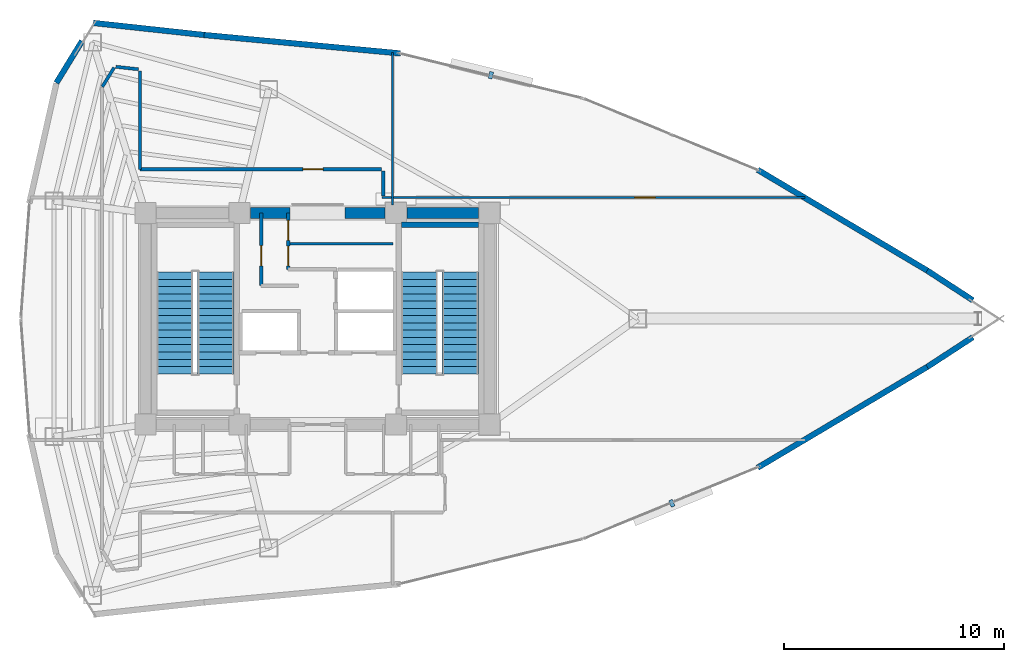
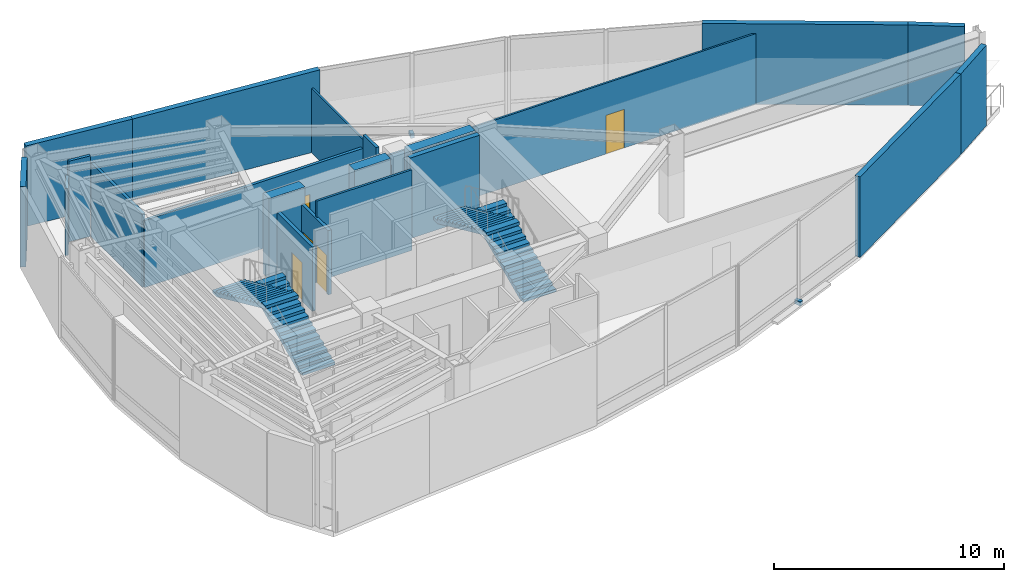
# One storey, part 15 of 17: 21 walls, 5 doors, 4 stair flights, 2 discrete accessories, 5 openings, 2 elements without a shape of their own.
"""IFC4 building model written with IfcOpenShell, lengths in metres."""

from ifc_helpers import new_model, si_unit, direction, frame, frame_2d, origin, origin_2d, place, context, subcontext, project, spatial, polyline, rectangle, outline, extrude, material, layer, layer_set, type_object, element, fill, aggregate, save


model = new_model("IFC4")

# Units and contexts
model_context = context("Model", 3, precision=1e-05, world=origin(), true_north=direction((0.0, 1.0)))
body_context = subcontext(model_context, "Body", "Model", "MODEL_VIEW")
ifc_project = project(units=[si_unit("LENGTHUNIT", "METRE"), si_unit("AREAUNIT", "SQUARE_METRE"), si_unit("VOLUMEUNIT", "CUBIC_METRE"), si_unit("PLANEANGLEUNIT", "RADIAN"), si_unit("MASSUNIT", "GRAM", prefix="KILO")], contexts=[model_context])

# Site, building, storey
site_placement = place(None, origin())
site = spatial("IfcSite", under=ifc_project, at=site_placement, CompositionType="ELEMENT")
building_placement = place(site_placement, origin())
building = spatial("IfcBuilding", under=site, at=building_placement, Name="Menara Vayukalpa", CompositionType="ELEMENT")
storey_placement = place(building_placement, frame((0.0, 0.0, 242.639892578125)))
storey = spatial("IfcBuildingStorey", under=building, at=storey_placement, Name="L61", CompositionType="ELEMENT", Elevation=242.639892578125)

# Walls
ifc_material_1 = material(Name="Concrete C60/75", Category="concrete")
ifc_layer_1 = layer(ifc_material_1, 0.5)
ifc_layer_set_1 = layer_set([ifc_layer_1], Name="Concrete C60/75")
wall_type_1 = type_object("IfcWallType", Name="WAL-CW500", PredefinedType="SHEAR", material=ifc_layer_set_1)
wall_1_placement = place(storey_placement, frame((22.544921875, 26.800048828125, 0.0), z_axis=(0.0, 0.0, 1.0), x_axis=(1.0, 0.0, 0.0)))
element("IfcWall", 1, at=wall_1_placement, inside=storey, type_object=wall_type_1, Name="L61 Buttressed Core Shear Wall CWN2", PredefinedType="SHEAR", context=body_context, shape_type="SweptSolid", body=[
    extrude(rectangle(XDim=1.80517578125, YDim=0.5, at=frame_2d((0.902587890625, 0.0))), origin(), (0.0, 0.0, 1.0), 4.280029296875),
])
wall_2_placement = place(storey_placement, frame((26.85009765625, 26.800048828125, 0.0), z_axis=(0.0, 0.0, 1.0), x_axis=(1.0, 0.0, 0.0)))
element("IfcWall", 2, at=wall_2_placement, inside=storey, type_object=wall_type_1, Name="L61 Buttressed Core Shear Wall CWN3", PredefinedType="SHEAR", context=body_context, shape_type="SweptSolid", body=[
    extrude(rectangle(XDim=1.804931640625, YDim=0.5, at=frame_2d((0.90234375, 0.0))), origin(), (0.0, 0.0, 1.0), 4.280029296875),
])
wall_3_placement = place(storey_placement, frame((29.64501953125, 26.800048828125, 0.0), z_axis=(0.0, 0.0, 1.0), x_axis=(1.0, 0.0, 0.0)))
element("IfcWall", 3, at=wall_3_placement, inside=storey, type_object=wall_type_1, Name="L61 Buttressed Core Shear Wall CWN4", PredefinedType="SHEAR", context=body_context, shape_type="SweptSolid", body=[
    extrude(rectangle(XDim=3.260009765625, YDim=0.5, at=frame_2d((1.6298828125, 0.0))), origin(), (0.0, 0.0, 1.0), 4.280029296875),
])
ifc_material_2 = material(Name="Insulated Precast Concrete C40/50", Category="concrete")
ifc_layer_2 = layer(ifc_material_2, 0.260009765625)
ifc_layer_set_2 = layer_set([ifc_layer_2], Name="Insulated Precast Concrete C40/50")
wall_type_2 = type_object("IfcWallType", Name="WAL-EXT260", PredefinedType="PARTITIONING", material=ifc_layer_set_2)
for number, where, z_axis, x_axis, name in (
    (4, (55.329833984375, 21.16259765625, 0.0), (0.0, 0.0, 1.0), (-0.837793250207, -0.545987609665, 0.0), "L61 Perimeter Terracotta Pier Wall 01"),
    (5, (53.258544921875, 24.187255859375, 0.0), (0.0, 0.0, 1.0), (0.837793250207, -0.545987609665, 0.0), "L61 Perimeter Terracotta Pier Wall 02"),
):
    element("IfcWall", number, at=place(storey_placement, frame(where, z_axis=z_axis, x_axis=x_axis)), inside=storey, type_object=wall_type_2, Name=name, PredefinedType="PARTITIONING", context=body_context, shape_type="SweptSolid", body=[
        extrude(rectangle(XDim=2.472412109375, YDim=0.260009765625, at=frame_2d((1.236328125, 0.0))), origin(), (0.0, 0.0, 1.0), 4.280029296875),
    ])
wall_4_placement = place(storey_placement, frame((45.565673828125, 28.759521484375, 0.0), z_axis=(0.0, 0.0, 1.0), x_axis=(0.859615449495, -0.510941561227, 0.0)))
element("IfcWall", 6, at=wall_4_placement, inside=storey, type_object=wall_type_2, Name="L61 Perimeter Terracotta Pier Wall 03", PredefinedType="PARTITIONING", context=body_context, shape_type="SweptSolid", body=[
    extrude(rectangle(XDim=8.961181640625, YDim=0.260009765625, at=frame_2d((4.48046875, 0.0))), origin(), (0.0, 0.0, 1.0), 4.280029296875),
])
wall_5_placement = place(storey_placement, frame((20.4384765625, 34.877685546875, 0.0), z_axis=(0.0, 0.0, 1.0), x_axis=(0.995616246459, -0.093532292754, 0.0)))
element("IfcWall", 7, at=wall_5_placement, inside=storey, type_object=wall_type_2, Name="L61 Perimeter Terracotta Pier Wall 06", PredefinedType="PARTITIONING", context=body_context, shape_type="SweptSolid", body=[
    extrude(rectangle(XDim=8.9609375, YDim=0.260009765625, at=frame_2d((4.48046875, 0.0))), origin(), (0.0, 0.0, 1.0), 4.280029296875),
])
wall_6_placement = place(storey_placement, frame((15.41748046875, 35.423095703125, 0.0), z_axis=(0.0, 0.0, 1.0), x_axis=(0.994158757437, -0.107927591518, 0.0)))
element("IfcWall", 8, at=wall_6_placement, inside=storey, type_object=wall_type_2, Name="L61 Perimeter Terracotta Pier Wall 07", PredefinedType="PARTITIONING", context=body_context, shape_type="SweptSolid", body=[
    extrude(rectangle(XDim=5.0625, YDim=0.260009765625, at=frame_2d((2.53125, 0.0))), origin(), (0.0, 0.0, 1.0), 4.280029296875),
])
wall_7_placement = place(storey_placement, frame((13.747314453125, 32.7021484375, 0.0), z_axis=(0.0, 0.0, 1.0), x_axis=(0.52314291314, 0.852244972077, 0.0)))
element("IfcWall", 9, at=wall_7_placement, inside=storey, type_object=wall_type_2, Name="L61 Perimeter Terracotta Pier Wall 08", PredefinedType="PARTITIONING", context=body_context, shape_type="SweptSolid", body=[
    extrude(rectangle(XDim=2.22705078125, YDim=0.260009765625, at=frame_2d((1.113525390625, 0.0))), origin(), (0.0, 0.0, 1.0), 4.280029296875),
])
wall_8_placement = place(storey_placement, frame((53.268798828125, 19.819091796875, 0.0), z_axis=(0.0, 0.0, 1.0), x_axis=(-0.859615449495, -0.510941561227, 0.0)))
element("IfcWall", 10, at=wall_8_placement, inside=storey, type_object=wall_type_2, Name="L61 Perimeter Terracotta Pier Wall 18", PredefinedType="PARTITIONING", context=body_context, shape_type="SweptSolid", body=[
    extrude(rectangle(XDim=8.961181640625, YDim=0.260009765625, at=frame_2d((4.48046875, 0.0))), origin(), (0.0, 0.0, 1.0), 4.280029296875),
])

# Wall, opening, door
ifc_material_3 = material(Name="Lightweight Concrete Blockwork C16/20", Category="masonry")
ifc_layer_3 = layer(ifc_material_3, 0.159912109375)
ifc_layer_set_3 = layer_set([ifc_layer_3], Name="Lightweight Concrete Blockwork C16/20")
wall_type_3 = type_object("IfcWallType", Name="WAL-FR150", PredefinedType="PARTITIONING", material=ifc_layer_set_3)
wall_9_placement = place(storey_placement, frame((23.0400390625, 23.5, 0.0), z_axis=(0.0, 0.0, 1.0), x_axis=(0.0, 1.0, 0.0)))
wall_9 = element("IfcWall", 11, at=wall_9_placement, inside=storey, type_object=wall_type_3, Name="L61 Interior Partition IW-L61-LV7WB", PredefinedType="PARTITIONING", context=body_context, shape_type="SweptSolid", body=[
    extrude(rectangle(XDim=3.300048828125, YDim=0.159912109375, at=frame_2d((1.64990234375, 0.0))), origin(), (0.0, 0.0, 1.0), 3.41015625),
])
opening_1_placement = place(wall_9_placement, frame((0.89990234375, 0.0, 0.0)))
opening_1 = element("IfcOpeningElement", 12, at=opening_1_placement, cuts=wall_9, Name="Opening ID6", PredefinedType="OPENING", context=body_context, shape_type="SweptSolid", body=[
    extrude(rectangle(XDim=0.919921875, YDim=2.050048828125, at=frame_2d((0.4599609375, 1.02490234375))), frame((0.0, 0.08984375, 0.0), z_axis=(0.0, -1.0, 0.0), x_axis=(1.0, 0.0, 0.0)), (0.0, 0.0, 1.0), 0.179931640625),
])
ifc_material_4 = material(Name="Acoustic Hardwood Veneer Timber Door", Category="wood")
door_type_1 = type_object("IfcDoorType", Name="DR-INT92", OperationType="NOTDEFINED", PredefinedType="DOOR", material=ifc_material_4)
door_1_placement = place(opening_1_placement, origin())
door_1 = element("IfcDoor", 13, at=door_1_placement, inside=storey, type_object=door_type_1, Name="L61 Interior Door DR-L61-LV7W", OperationType="SINGLE_SWING_LEFT", OverallHeight=2.050048828125, OverallWidth=0.919921875, PredefinedType="DOOR", context=body_context, shape_type="SweptSolid", body=[
    extrude(rectangle(XDim=0.919921875, YDim=2.050048828125, at=frame_2d((0.4599609375, 1.02490234375))), frame((0.0, 0.02490234375, 0.0), z_axis=(0.0, -1.0, 0.0), x_axis=(1.0, 0.0, 0.0)), (0.0, 0.0, 1.0), 0.050048828125),
])
fill(opening_1, door_1)

# Wall, openings, doors
wall_10_placement = place(storey_placement, frame((24.260009765625, 24.239990234375, 0.0), z_axis=(0.0, 0.0, 1.0), x_axis=(0.0, 1.0, 0.0)))
wall_10 = element("IfcWall", 14, at=wall_10_placement, inside=storey, type_object=wall_type_3, Name="L61 Interior Partition IW-L61-LV7EB", PredefinedType="PARTITIONING", context=body_context, shape_type="SweptSolid", body=[
    extrude(rectangle(XDim=2.56005859375, YDim=0.159912109375, at=frame_2d((1.280029296875, 0.0))), origin(), (0.0, 0.0, 1.0), 3.41015625),
])
opening_2_placement = place(wall_10_placement, frame((0.159912109375, 0.0, 0.0)))
opening_2 = element("IfcOpeningElement", 15, at=opening_2_placement, cuts=wall_10, Name="Opening ID7", PredefinedType="OPENING", context=body_context, shape_type="SweptSolid", body=[
    extrude(rectangle(XDim=0.89990234375, YDim=2.02001953125, at=frame_2d((0.449951171875, 1.010009765625))), frame((0.0, 0.08984375, 0.0), z_axis=(0.0, -1.0, 0.0), x_axis=(1.0, 0.0, 0.0)), (0.0, 0.0, 1.0), 0.179931640625),
])
opening_3_placement = place(wall_10_placement, frame((1.320068359375, 0.0, 0.0)))
opening_3 = element("IfcOpeningElement", 16, at=opening_3_placement, cuts=wall_10, Name="Opening ID7", PredefinedType="OPENING", context=body_context, shape_type="SweptSolid", body=[
    extrude(rectangle(XDim=0.89990234375, YDim=2.02001953125, at=frame_2d((0.449951171875, 1.010009765625))), frame((0.0, 0.08984375, 0.0), z_axis=(0.0, -1.0, 0.0), x_axis=(1.0, 0.0, 0.0)), (0.0, 0.0, 1.0), 0.179931640625),
])
ifc_material_5 = material(Name="Powder-Coated Steel Riser Access Door", Category="steel")
door_type_2 = type_object("IfcDoorType", Name="DR-RISER", OperationType="NOTDEFINED", PredefinedType="DOOR", material=ifc_material_5)
door_2_placement = place(opening_2_placement, origin())
door_2 = element("IfcDoor", 17, at=door_2_placement, inside=storey, type_object=door_type_2, Name="L61 Interior Door DR-L61-LV7E1", OperationType="SINGLE_SWING_RIGHT", OverallHeight=2.02001953125, OverallWidth=0.89990234375, PredefinedType="DOOR", context=body_context, shape_type="SweptSolid", body=[
    extrude(rectangle(XDim=0.89990234375, YDim=2.02001953125, at=frame_2d((0.449951171875, 1.010009765625))), frame((0.0, 0.02490234375, 0.0), z_axis=(0.0, -1.0, 0.0), x_axis=(1.0, 0.0, 0.0)), (0.0, 0.0, 1.0), 0.050048828125),
])
fill(opening_2, door_2)
door_3_placement = place(opening_3_placement, origin())
door_3 = element("IfcDoor", 18, at=door_3_placement, inside=storey, type_object=door_type_2, Name="L61 Interior Door DR-L61-LV7E2", OperationType="SINGLE_SWING_LEFT", OverallHeight=2.02001953125, OverallWidth=0.89990234375, PredefinedType="DOOR", context=body_context, shape_type="SweptSolid", body=[
    extrude(rectangle(XDim=0.89990234375, YDim=2.02001953125, at=frame_2d((0.449951171875, 1.010009765625))), frame((0.0, 0.02490234375, 0.0), z_axis=(0.0, -1.0, 0.0), x_axis=(1.0, 0.0, 0.0)), (0.0, 0.0, 1.0), 0.050048828125),
])
fill(opening_3, door_3)

# Wall
ifc_material_6 = material(Name="Glazed Demountable Office Partition", Category="glass")
ifc_layer_4 = layer(ifc_material_6, 0.094970703125)
ifc_layer_set_4 = layer_set([ifc_layer_4], Name="Glazed Demountable Office Partition")
wall_type_4 = type_object("IfcWallType", Name="WAL-PT100", PredefinedType="PARTITIONING", material=ifc_layer_set_4)
wall_11_placement = place(storey_placement, frame((29.0, 27.169921875, 0.0), z_axis=(0.0, 0.0, 1.0), x_axis=(0.0, 1.0, 0.0)))
element("IfcWall", 19, at=wall_11_placement, inside=storey, type_object=wall_type_4, Name="L61 Interior Partition IW-L61-RDIV02", PredefinedType="PARTITIONING", context=body_context, shape_type="SweptSolid", body=[
    extrude(rectangle(XDim=6.91357421875, YDim=0.094970703125, at=frame_2d((3.456787109375, 0.0))), origin(), (0.0, 0.0, 1.0), 3.41015625),
])

# Wall, opening, door
wall_12_placement = place(storey_placement, frame((28.530029296875, 27.5, 0.0), z_axis=(0.0, 0.0, 1.0), x_axis=(1.0, 0.0, 0.0)))
wall_12 = element("IfcWall", 20, at=wall_12_placement, inside=storey, type_object=wall_type_4, Name="L61 Interior Partition IW-L61-RDIV06", PredefinedType="PARTITIONING", context=body_context, shape_type="SweptSolid", body=[
    extrude(rectangle(XDim=19.174072265625, YDim=0.094970703125, at=frame_2d((9.5869140625, 0.0))), origin(), (0.0, 0.0, 1.0), 3.760009765625),
])
opening_4_placement = place(wall_12_placement, frame((11.46337890625, 0.0, 0.0)))
opening_4 = element("IfcOpeningElement", 21, at=opening_4_placement, cuts=wall_12, Name="Opening ID6", PredefinedType="OPENING", context=body_context, shape_type="SweptSolid", body=[
    extrude(rectangle(XDim=0.919921875, YDim=2.050048828125, at=frame_2d((0.4599609375, 1.02490234375))), frame((0.0, 0.057373046875, 0.0), z_axis=(0.0, -1.0, 0.0), x_axis=(1.0, 0.0, 0.0)), (0.0, 0.0, 1.0), 0.114990234375),
])
door_4_placement = place(opening_4_placement, origin())
door_4 = element("IfcDoor", 22, at=door_4_placement, inside=storey, type_object=door_type_1, Name="L61 Interior Door DR-L61-STE05", OperationType="SINGLE_SWING_LEFT", OverallHeight=2.050048828125, OverallWidth=0.919921875, PredefinedType="DOOR", context=body_context, shape_type="SweptSolid", body=[
    extrude(rectangle(XDim=0.919921875, YDim=2.050048828125, at=frame_2d((0.4599609375, 1.02490234375))), frame((0.0, 0.02490234375, 0.0), z_axis=(0.0, -1.0, 0.0), x_axis=(1.0, 0.0, 0.0)), (0.0, 0.0, 1.0), 0.050048828125),
])
fill(opening_4, door_4)

# Walls
ifc_material_7 = material(Name="Acoustic Mineral Stud Partition", Category="masonry")
ifc_layer_5 = layer(ifc_material_7, 0.110107421875)
ifc_layer_set_5 = layer_set([ifc_layer_5], Name="Acoustic Mineral Stud Partition")
wall_type_5 = type_object("IfcWallType", Name="WAL-PT110", PredefinedType="PARTITIONING", material=ifc_layer_set_5)
wall_13_placement = place(storey_placement, frame((24.260009765625, 25.39990234375, 0.0), z_axis=(0.0, 0.0, 1.0), x_axis=(1.0, 0.0, 0.0)))
element("IfcWall", 23, at=wall_13_placement, inside=storey, type_object=wall_type_5, Name="L61 Interior Partition IW-L61-LV7EM", PredefinedType="PARTITIONING", context=body_context, shape_type="SweptSolid", body=[
    extrude(rectangle(XDim=4.760009765625, YDim=0.110107421875, at=frame_2d((2.3798828125, 0.0))), origin(), (0.0, 0.0, 1.0), 4.280029296875),
])
ifc_material_8 = material(Name="Gypsum Drywall Acoustic Stud Assembly", Category="masonry")
ifc_layer_6 = layer(ifc_material_8, 0.14501953125)
ifc_layer_set_6 = layer_set([ifc_layer_6], Name="Gypsum Drywall Acoustic Stud Assembly")
wall_type_6 = type_object("IfcWallType", Name="WAL-PT150", PredefinedType="PARTITIONING", material=ifc_layer_set_6)
wall_14_placement = place(storey_placement, frame((28.580078125, 27.570068359375, 0.0), z_axis=(0.0, 0.0, 1.0), x_axis=(0.0, 1.0, 0.0)))
element("IfcWall", 24, at=wall_14_placement, inside=storey, type_object=wall_type_6, Name="L61 Interior Partition IW-L61-CRM06-1", PredefinedType="PARTITIONING", context=body_context, shape_type="SweptSolid", body=[
    extrude(rectangle(XDim=1.1298828125, YDim=0.14501953125, at=frame_2d((0.56494140625, 0.0))), origin(), (0.0, 0.0, 1.0), 4.280029296875),
])

# Wall, opening, door
wall_15_placement = place(storey_placement, frame((28.5, 28.780029296875, 0.0), z_axis=(0.0, 0.0, 1.0), x_axis=(-1.0, 0.0, 0.0)))
wall_15 = element("IfcWall", 25, at=wall_15_placement, inside=storey, type_object=wall_type_6, Name="L61 Interior Partition IW-L61-CRM06-2", PredefinedType="PARTITIONING", context=body_context, shape_type="SweptSolid", body=[
    extrude(rectangle(XDim=10.9599609375, YDim=0.14501953125, at=frame_2d((5.47998046875, 0.0))), origin(), (0.0, 0.0, 1.0), 3.56005859375),
])
opening_5_placement = place(wall_15_placement, frame((2.64990234375, 0.0, 0.0)))
opening_5 = element("IfcOpeningElement", 26, at=opening_5_placement, cuts=wall_15, Name="Opening ID6", PredefinedType="OPENING", context=body_context, shape_type="SweptSolid", body=[
    extrude(rectangle(XDim=0.919921875, YDim=2.050048828125, at=frame_2d((0.4599609375, 1.02490234375))), frame((0.0, 0.08251953125, 0.0), z_axis=(0.0, -1.0, 0.0), x_axis=(1.0, 0.0, 0.0)), (0.0, 0.0, 1.0), 0.1650390625),
])
door_5_placement = place(opening_5_placement, origin())
door_5 = element("IfcDoor", 27, at=door_5_placement, inside=storey, type_object=door_type_1, Name="L61 Interior Door DR-L61-RM06", OperationType="SINGLE_SWING_RIGHT", OverallHeight=2.050048828125, OverallWidth=0.919921875, PredefinedType="DOOR", context=body_context, shape_type="SweptSolid", body=[
    extrude(rectangle(XDim=0.919921875, YDim=2.050048828125, at=frame_2d((0.4599609375, 1.02490234375))), frame((0.0, 0.02490234375, 0.0), z_axis=(0.0, -1.0, 0.0), x_axis=(1.0, 0.0, 0.0)), (0.0, 0.0, 1.0), 0.050048828125),
])
fill(opening_5, door_5)

# Walls
wall_16_placement = place(storey_placement, frame((17.5400390625, 28.780029296875, 0.0), z_axis=(0.0, 0.0, 1.0), x_axis=(0.0, 1.0, 0.0)))
element("IfcWall", 28, at=wall_16_placement, inside=storey, type_object=wall_type_6, Name="L61 Interior Partition IW-L61-CRM06-3", PredefinedType="PARTITIONING", context=body_context, shape_type="SweptSolid", body=[
    extrude(rectangle(XDim=4.4599609375, YDim=0.14501953125, at=frame_2d((2.22998046875, 0.0))), origin(), (0.0, 0.0, 1.0), 3.91015625),
])
wall_17_placement = place(storey_placement, frame((17.468505859375, 33.3193359375, 0.0), z_axis=(0.0, 0.0, 1.0), x_axis=(-0.994140595739, 0.108094754283, 0.0)))
element("IfcWall", 29, at=wall_17_placement, inside=storey, type_object=wall_type_6, Name="L61 Interior Partition IW-L61-CRM06-4", PredefinedType="PARTITIONING", context=body_context, shape_type="SweptSolid", body=[
    extrude(rectangle(XDim=1.0322265625, YDim=0.14501953125, at=frame_2d((0.51611328125, 0.0))), origin(), (0.0, 0.0, 1.0), 4.280029296875),
])
wall_18_placement = place(storey_placement, frame((16.36572265625, 33.393310546875, 0.0), z_axis=(0.0, 0.0, 1.0), x_axis=(-0.523122844464, -0.852257290729, 0.0)))
element("IfcWall", 30, at=wall_18_placement, inside=storey, type_object=wall_type_6, Name="L61 Interior Partition IW-L61-CRM06-5", PredefinedType="PARTITIONING", context=body_context, shape_type="SweptSolid", body=[
    extrude(rectangle(XDim=1.020751953125, YDim=0.14501953125, at=frame_2d((0.51025390625, 0.0))), origin(), (0.0, 0.0, 1.0), 3.56005859375),
])
ifc_material_9 = material(Name="Concrete C50/60", Category="concrete")
ifc_layer_7 = layer(ifc_material_9, 0.25)
ifc_layer_set_7 = layer_set([ifc_layer_7], Name="Concrete C50/60")
wall_type_7 = type_object("IfcWallType", Name="WAL-SW250", PredefinedType="SHEAR", material=ifc_layer_set_7)
wall_19_placement = place(storey_placement, frame((29.39990234375, 26.27490234375, 0.0), z_axis=(0.0, 0.0, 1.0), x_axis=(1.0, 0.0, 0.0)))
element("IfcWall", 31, at=wall_19_placement, inside=storey, type_object=wall_type_7, Name="L61 ST2 Structural Stair Shaft Wall N", PredefinedType="SHEAR", context=body_context, shape_type="SweptSolid", body=[
    extrude(rectangle(XDim=3.49609375, YDim=0.25, at=frame_2d((1.748046875, 0.0))), origin(), (0.0, 0.0, 1.0), 4.280029296875),
])

# Stair, stair flights
ifc_material_10 = material(Name="Precast Concrete C40/50", Category="concrete")
stair_type = type_object("IfcStairType", Name="STR-T06", PredefinedType="DOUBLE_RETURN_STAIR", material=ifc_material_10)
stair_1_placement = place(storey_placement, origin())
stair_1 = element("IfcStair", 32, at=stair_1_placement, inside=storey, type_object=stair_type, Name="L61 Core Exit Stair ST-1", PredefinedType="DOUBLE_RETURN_STAIR")
ifc_material_11 = material(Name="Precast Concrete C40/50", Category="concrete")
stair_flight_type = type_object("IfcStairFlightType", Name="STF-T06", PredefinedType="STRAIGHT", material=ifc_material_11)
stair_flight_1_placement = place(storey_placement, frame((20.97509765625, 19.5, 0.0), z_axis=(0.0, 0.0, 1.0), x_axis=(0.0, 1.0, 0.0)))
stair_flight_1 = element("IfcStairFlight", 33, at=stair_flight_1_placement, type_object=stair_flight_type, Name="ST-1 flight 1", NumberOfRisers=15, NumberOfTreads=14, PredefinedType="STRAIGHT", RiserHeight=0.15, TreadLength=0.33, context=body_context, shape_type="SweptSolid", body=[
    extrude(outline(polyline([(0.0, 0.0), (0.0, 0.14990234375), (0.330078125, 0.14990234375), (0.330078125, 0.300048828125), (0.659912109375, 0.300048828125), (0.659912109375, 0.449951171875), (0.989990234375, 0.449951171875), (0.989990234375, 0.60009765625), (1.320068359375, 0.60009765625), (1.320068359375, 0.75), (1.64990234375, 0.75), (1.64990234375, 0.89990234375), (1.97998046875, 0.89990234375), (1.97998046875, 1.050048828125), (2.31005859375, 1.050048828125), (2.31005859375, 1.199951171875), (2.639892578125, 1.199951171875), (2.639892578125, 1.35009765625), (2.969970703125, 1.35009765625), (2.969970703125, 1.5), (3.300048828125, 1.5), (3.300048828125, 1.64990234375), (3.6298828125, 1.64990234375), (3.6298828125, 1.800048828125), (3.9599609375, 1.800048828125), (3.9599609375, 1.949951171875), (4.2900390625, 1.949951171875), (4.2900390625, 2.10009765625), (4.6201171875, 2.10009765625), (4.6201171875, 2.25), (4.6201171875, 1.935302734375), (0.3623046875, 0.0), (0.0, 0.0)])), frame((0.0, 0.824951171875, 0.0), z_axis=(0.0, -1.0, 0.0), x_axis=(1.0, 0.0, 0.0)), (0.0, 0.0, 1.0), 1.64990234375),
])
stair_flight_2_placement = place(storey_placement, frame((19.125, 24.1201171875, 2.25), z_axis=(0.0, 0.0, 1.0), x_axis=(0.0, -1.0, 0.0)))
stair_flight_2 = element("IfcStairFlight", 34, at=stair_flight_2_placement, type_object=stair_flight_type, Name="ST-1 flight 2", NumberOfRisers=15, NumberOfTreads=14, PredefinedType="STRAIGHT", RiserHeight=0.15, TreadLength=0.33, context=body_context, shape_type="SweptSolid", body=[
    extrude(outline(polyline([(0.0, 0.0), (0.0, 0.14990234375), (0.330078125, 0.14990234375), (0.330078125, 0.300048828125), (0.659912109375, 0.300048828125), (0.659912109375, 0.449951171875), (0.989990234375, 0.449951171875), (0.989990234375, 0.60009765625), (1.320068359375, 0.60009765625), (1.320068359375, 0.75), (1.64990234375, 0.75), (1.64990234375, 0.89990234375), (1.97998046875, 0.89990234375), (1.97998046875, 1.050048828125), (2.31005859375, 1.050048828125), (2.31005859375, 1.199951171875), (2.639892578125, 1.199951171875), (2.639892578125, 1.35009765625), (2.969970703125, 1.35009765625), (2.969970703125, 1.5), (3.300048828125, 1.5), (3.300048828125, 1.64990234375), (3.6298828125, 1.64990234375), (3.6298828125, 1.800048828125), (3.9599609375, 1.800048828125), (3.9599609375, 1.949951171875), (4.2900390625, 1.949951171875), (4.2900390625, 2.10009765625), (4.6201171875, 2.10009765625), (4.6201171875, 2.25), (4.6201171875, 1.935302734375), (0.3623046875, 0.0), (0.0, 0.0)])), frame((0.0, 0.824951171875, 0.0), z_axis=(0.0, -1.0, 0.0), x_axis=(1.0, 0.0, 0.0)), (0.0, 0.0, 1.0), 1.64990234375),
])
aggregate(stair_1, [stair_flight_1, stair_flight_2])

stair_2_placement = place(storey_placement, origin())
stair_2 = element("IfcStair", 35, at=stair_2_placement, inside=storey, type_object=stair_type, Name="L61 Core Exit Stair ST-2", PredefinedType="DOUBLE_RETURN_STAIR")
stair_flight_3_placement = place(storey_placement, frame((32.074951171875, 19.5, 0.0), z_axis=(0.0, 0.0, 1.0), x_axis=(0.0, 1.0, 0.0)))
stair_flight_3 = element("IfcStairFlight", 36, at=stair_flight_3_placement, type_object=stair_flight_type, Name="ST-2 flight 1", NumberOfRisers=15, NumberOfTreads=14, PredefinedType="STRAIGHT", RiserHeight=0.15, TreadLength=0.33, context=body_context, shape_type="SweptSolid", body=[
    extrude(outline(polyline([(0.0, 0.0), (0.0, 0.14990234375), (0.330078125, 0.14990234375), (0.330078125, 0.300048828125), (0.659912109375, 0.300048828125), (0.659912109375, 0.449951171875), (0.989990234375, 0.449951171875), (0.989990234375, 0.60009765625), (1.320068359375, 0.60009765625), (1.320068359375, 0.75), (1.64990234375, 0.75), (1.64990234375, 0.89990234375), (1.97998046875, 0.89990234375), (1.97998046875, 1.050048828125), (2.31005859375, 1.050048828125), (2.31005859375, 1.199951171875), (2.639892578125, 1.199951171875), (2.639892578125, 1.35009765625), (2.969970703125, 1.35009765625), (2.969970703125, 1.5), (3.300048828125, 1.5), (3.300048828125, 1.64990234375), (3.6298828125, 1.64990234375), (3.6298828125, 1.800048828125), (3.9599609375, 1.800048828125), (3.9599609375, 1.949951171875), (4.2900390625, 1.949951171875), (4.2900390625, 2.10009765625), (4.6201171875, 2.10009765625), (4.6201171875, 2.25), (4.6201171875, 1.935302734375), (0.3623046875, 0.0), (0.0, 0.0)])), frame((0.0, 0.824951171875, 0.0), z_axis=(0.0, -1.0, 0.0), x_axis=(1.0, 0.0, 0.0)), (0.0, 0.0, 1.0), 1.64990234375),
])
stair_flight_4_placement = place(storey_placement, frame((30.22509765625, 24.1201171875, 2.25), z_axis=(0.0, 0.0, 1.0), x_axis=(0.0, -1.0, 0.0)))
stair_flight_4 = element("IfcStairFlight", 37, at=stair_flight_4_placement, type_object=stair_flight_type, Name="ST-2 flight 2", NumberOfRisers=15, NumberOfTreads=14, PredefinedType="STRAIGHT", RiserHeight=0.15, TreadLength=0.33, context=body_context, shape_type="SweptSolid", body=[
    extrude(outline(polyline([(0.0, 0.0), (0.0, 0.14990234375), (0.330078125, 0.14990234375), (0.330078125, 0.300048828125), (0.659912109375, 0.300048828125), (0.659912109375, 0.449951171875), (0.989990234375, 0.449951171875), (0.989990234375, 0.60009765625), (1.320068359375, 0.60009765625), (1.320068359375, 0.75), (1.64990234375, 0.75), (1.64990234375, 0.89990234375), (1.97998046875, 0.89990234375), (1.97998046875, 1.050048828125), (2.31005859375, 1.050048828125), (2.31005859375, 1.199951171875), (2.639892578125, 1.199951171875), (2.639892578125, 1.35009765625), (2.969970703125, 1.35009765625), (2.969970703125, 1.5), (3.300048828125, 1.5), (3.300048828125, 1.64990234375), (3.6298828125, 1.64990234375), (3.6298828125, 1.800048828125), (3.9599609375, 1.800048828125), (3.9599609375, 1.949951171875), (4.2900390625, 1.949951171875), (4.2900390625, 2.10009765625), (4.6201171875, 2.10009765625), (4.6201171875, 2.25), (4.6201171875, 1.935302734375), (0.3623046875, 0.0), (0.0, 0.0)])), frame((0.0, 0.824951171875, 0.0), z_axis=(0.0, -1.0, 0.0), x_axis=(1.0, 0.0, 0.0)), (0.0, 0.0, 1.0), 1.64990234375),
])
aggregate(stair_2, [stair_flight_3, stair_flight_4])

# Discrete accessories
ifc_material_12 = material(Name="Stainless Steel 316 Sunshade Bracket", Category="steel")
discrete_accessory_type = type_object("IfcDiscreteAccessoryType", Name="ACC-BRK1", PredefinedType="BRACKET", material=ifc_material_12)
for number, where, z_axis, x_axis, name in (
    (38, (33.46044921875, 33.050048828125, -0.15966796875), (0.0, 0.0, 1.0), (-0.971313023754, 0.237804562373, 0.0), "L61 Terracotta Sunshade Bracket 05"),
    (39, (41.669677734375, 13.62451171875, -0.15966796875), (0.0, 0.0, 1.0), (0.924971116436, 0.380037411, 0.0), "L61 Terracotta Sunshade Bracket 17"),
):
    element("IfcDiscreteAccessory", number, at=place(storey_placement, frame(where, z_axis=z_axis, x_axis=x_axis)), inside=storey, type_object=discrete_accessory_type, Name=name, PredefinedType="BRACKET", context=body_context, shape_type="SweptSolid", body=[
        extrude(rectangle(XDim=0.179931640625, YDim=0.320068359375, at=origin_2d()), origin(), (0.0, 0.0, 1.0), 0.219970703125),
    ])

save(model, "model.ifc")
